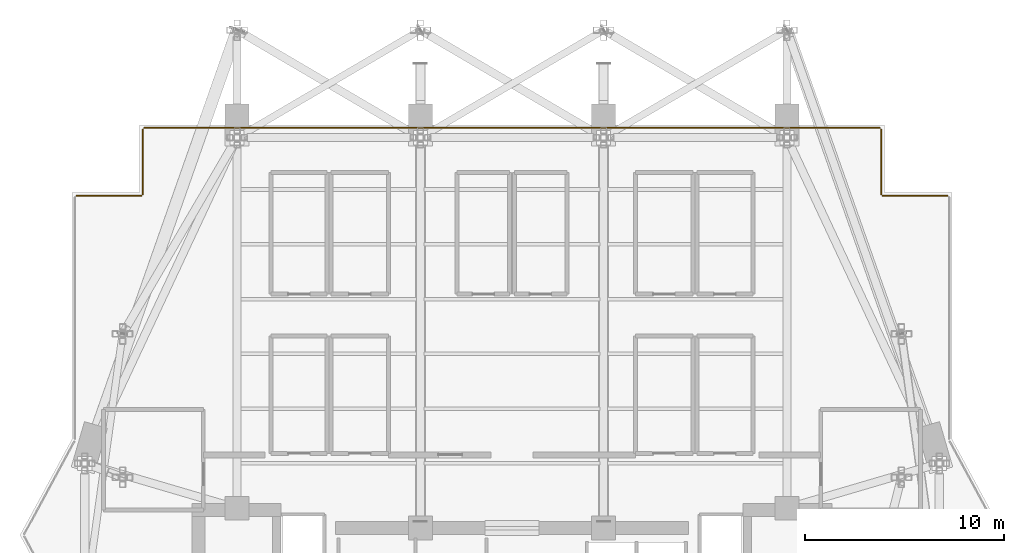
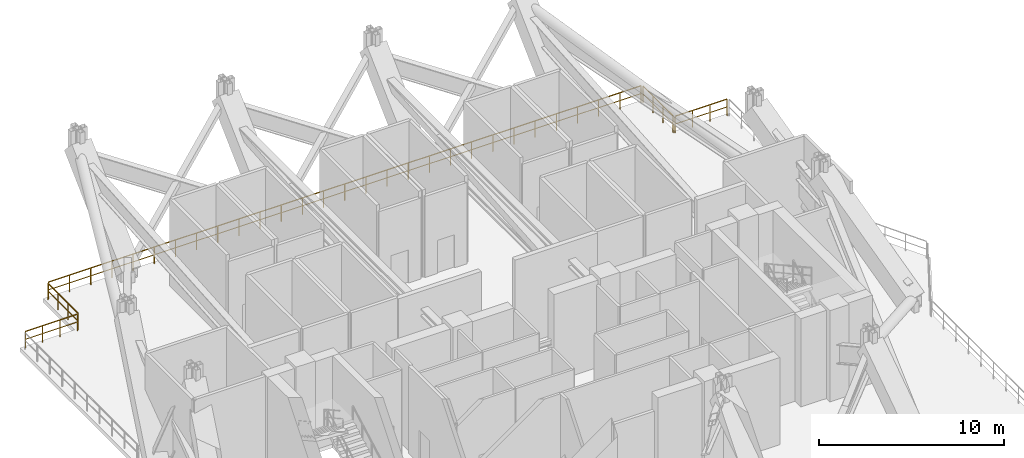
# One storey, part 18 of 18: 5 railings.
"""IFC4 building model written with IfcOpenShell, lengths in metres."""

import ifcopenshell
import ifcopenshell.guid

model = None  # the IFC model being written
_history = None  # IfcOwnerHistory: only IFC2X3 demands one
_inside = {}  # id of a spatial element -> (the spatial element, [elements in it])
_under = {}  # id of a project, library or spatial element -> (it, [spatial elements below it])
_declared = {}  # id of a project -> (the project, [libraries it declares])
_typed = {}  # id of a type object -> (the type object, [elements of that type])
_made_of = {}  # id of a material, layer set ... -> (it, [elements and type objects made of it])


def new_model(schema):
    """Start an empty IFC model of exactly this schema.

    Asked for "IFC4X3", IfcOpenShell would pick the latest addendum, in which some entities
    have other attributes; the version numbers below select the first issue.
    IFC2X3 requires an IfcOwnerHistory on every rooted entity: one is made here for all.
    """
    global model, _history
    if schema == "IFC4X3":
        model = ifcopenshell.file(schema_version=(4, 3, 0, 0))
    else:
        model = ifcopenshell.file(schema=schema)
    _inside.clear()
    _under.clear()
    _declared.clear()
    _typed.clear()
    _made_of.clear()
    _history = None
    if model.schema == "IFC2X3":
        org = make("IfcOrganization", Name="unknown")
        user = make(
            "IfcPersonAndOrganization",
            ThePerson=make("IfcPerson", FamilyName="unknown"),
            TheOrganization=org,
        )
        app = make(
            "IfcApplication",
            ApplicationDeveloper=org,
            Version="unknown",
            ApplicationFullName="unknown",
            ApplicationIdentifier="unknown",
        )
        _history = make(
            "IfcOwnerHistory",
            OwningUser=user,
            OwningApplication=app,
            ChangeAction="ADDED",
            CreationDate=0,
        )
    return model


def make(cls, **values):
    """One entity of the class cls with the attributes given. An attribute that is None is left unset."""
    return model.create_entity(
        cls, **{name: value for name, value in values.items() if value is not None}
    )


def rooted(cls, **values):
    """An entity with a GlobalId (a new one), such as an element, a storey or a relation."""
    return make(cls, GlobalId=ifcopenshell.guid.new(), OwnerHistory=_history, **values)


def si_unit(unit_type, name, prefix=None):
    """IfcSIUnit, for example si_unit("LENGTHUNIT", "METRE", prefix="MILLI")."""
    return make("IfcSIUnit", UnitType=unit_type, Prefix=prefix, Name=name)


def assignment(units):
    """IfcUnitAssignment: the units of a project."""
    return None if units is None else make("IfcUnitAssignment", Units=units)


def point(xyz):
    """IfcCartesianPoint."""
    return None if xyz is None else make("IfcCartesianPoint", Coordinates=xyz)


def direction(xyz):
    """IfcDirection."""
    return None if xyz is None else make("IfcDirection", DirectionRatios=xyz)


def frame(location, z_axis=None, x_axis=None):
    """IfcAxis2Placement3D, a coordinate frame: its origin and axes. An axis left out is left unset."""
    return make(
        "IfcAxis2Placement3D",
        Location=point(location),
        Axis=direction(z_axis),
        RefDirection=direction(x_axis),
    )


def frame_2d(location, x_axis=None):
    """IfcAxis2Placement2D, a coordinate frame in the plane: its origin and x axis."""
    return make(
        "IfcAxis2Placement2D", Location=point(location), RefDirection=direction(x_axis)
    )


def origin():
    """The frame at (0, 0, 0) with its axes left unset."""
    return frame((0.0, 0.0, 0.0))


def origin_2d():
    """The frame at (0, 0) in the plane with its x axis left unset."""
    return frame_2d((0.0, 0.0))


def place(relative_to, where):
    """IfcLocalPlacement: puts the frame where relative to a parent placement (None: the world)."""
    return make(
        "IfcLocalPlacement", PlacementRelTo=relative_to, RelativePlacement=where
    )


def context(
    kind, dimensions, precision=None, world=None, true_north=None, identifier=None
):
    """IfcGeometricRepresentationContext, for example the 3D "Model" context."""
    return make(
        "IfcGeometricRepresentationContext",
        ContextIdentifier=identifier,
        ContextType=kind,
        CoordinateSpaceDimension=dimensions,
        Precision=precision,
        WorldCoordinateSystem=world,
        TrueNorth=true_north,
    )


def subcontext(parent, identifier, kind, view, scale=None):
    """IfcGeometricRepresentationSubContext, for example "Body" below "Model"."""
    return make(
        "IfcGeometricRepresentationSubContext",
        ContextIdentifier=identifier,
        ContextType=kind,
        ParentContext=parent,
        TargetScale=scale,
        TargetView=view,
    )


def project(units=None, contexts=None):
    """IfcProject with its units and contexts."""
    return rooted(
        "IfcProject",
        Name="project",
        RepresentationContexts=contexts,
        UnitsInContext=assignment(units),
    )


def spatial(cls, under=None, at=None, **own):
    """A site, building, storey or space (cls), placed at a placement, below another one or the project."""
    s = rooted(cls, ObjectPlacement=at, **own)
    if under is not None:
        _under.setdefault(under.id(), (under, []))[1].append(s)
    return s


def profile(cls, at=None, kind="AREA", **sizes):
    """A parametric profile (cls). Its sizes go by their IFC names, for example OverallWidth=200.0."""
    return make(cls, ProfileType=kind, Position=at, **sizes)


def rectangle(**sizes):
    """IfcRectangleProfileDef."""
    return profile("IfcRectangleProfileDef", **sizes)


def extrude(swept, where, along, depth):
    """IfcExtrudedAreaSolid: the profile swept, set in the frame where, extruded along a direction by depth."""
    return make(
        "IfcExtrudedAreaSolid",
        SweptArea=swept,
        Position=where,
        ExtrudedDirection=direction(along),
        Depth=depth,
    )


def shape(context_of_items, identifier, shape_type, items):
    """IfcShapeRepresentation: the items that make up one representation, for example the "Body"."""
    return make(
        "IfcShapeRepresentation",
        ContextOfItems=context_of_items,
        RepresentationIdentifier=identifier,
        RepresentationType=shape_type,
        Items=items,
    )


def material(Name=None, Category=None):
    """IfcMaterial."""
    return make("IfcMaterial", Name=Name, Category=Category)


def made_of(thing, what):
    """Note that an element or type object is made of a material, layer set ...; save() writes the relation."""
    if what is not None:
        _made_of.setdefault(what.id(), (what, []))[1].append(thing)
    return thing


def type_object(cls, material=None, **own):
    """A type object (cls), such as IfcWallType, which elements share."""
    return made_of(rooted(cls, **own), material)


def element(
    cls,
    number,
    at=None,
    inside=None,
    cuts=None,
    type_object=None,
    material=None,
    context=None,
    identifier="Body",
    shape_type=None,
    held_by="IfcProductDefinitionShape",
    body=None,
    shapes=None,
    **own,
):
    """One element of the class cls, such as IfcWall. Its Tag is "e" and its number.

    at: its placement. inside: the storey or other place that contains it. cuts: it is an
    opening in that element (IfcRelVoidsElement). A single representation is given by context,
    identifier, shape_type and body (its items); several are given by shapes. held_by: the class
    of the entity that holds the representations. save() writes the other relations.
    """
    e = rooted(cls, Tag="e%d" % number, ObjectPlacement=at, **own)
    if body is not None:
        shapes = [shape(context, identifier, shape_type, body)]
    if shapes is not None:
        e.Representation = make(held_by, Representations=shapes)
    if inside is not None:
        _inside.setdefault(inside.id(), (inside, []))[1].append(e)
    if cuts is not None:
        rooted(
            "IfcRelVoidsElement", RelatingBuildingElement=cuts, RelatedOpeningElement=e
        )
    if type_object is not None:
        _typed.setdefault(type_object.id(), (type_object, []))[1].append(e)
    return made_of(e, material)


def aggregate(whole, parts):
    """IfcRelAggregates: a whole, such as a stair, and the parts it consists of."""
    return rooted("IfcRelAggregates", RelatingObject=whole, RelatedObjects=parts)


def save(model, path):
    """Write the relations noted so far, then the file.

    IfcRelAggregates (storeys below a building ...), IfcRelContainedInSpatialStructure (elements
    in a storey), IfcRelDefinesByType, IfcRelAssociatesMaterial and IfcRelDeclares: one each for
    every whole, place, type object, material and project.
    """
    for whole, parts in _under.values():
        aggregate(whole, parts)
    for where, things in _inside.values():
        rooted(
            "IfcRelContainedInSpatialStructure",
            RelatedElements=things,
            RelatingStructure=where,
        )
    for kind, things in _typed.values():
        rooted("IfcRelDefinesByType", RelatedObjects=things, RelatingType=kind)
    for what, things in _made_of.values():
        rooted("IfcRelAssociatesMaterial", RelatedObjects=things, RelatingMaterial=what)
    for by, libraries in _declared.values():
        rooted("IfcRelDeclares", RelatingContext=by, RelatedDefinitions=libraries)
    model.write(path)


model = new_model("IFC4")

# Units and contexts
model_context = context("Model", 3, precision=1e-05, world=origin(), true_north=direction((0.0, 1.0)))
body_context = subcontext(model_context, "Body", "Model", "MODEL_VIEW")
ifc_project = project(units=[si_unit("LENGTHUNIT", "METRE"), si_unit("AREAUNIT", "SQUARE_METRE"), si_unit("VOLUMEUNIT", "CUBIC_METRE"), si_unit("PLANEANGLEUNIT", "RADIAN"), si_unit("MASSUNIT", "GRAM", prefix="KILO")], contexts=[model_context])

# Site, building, storey
site_placement = place(None, origin())
site = spatial("IfcSite", under=ifc_project, at=site_placement, CompositionType="ELEMENT")
building_placement = place(site_placement, origin())
building = spatial("IfcBuilding", under=site, at=building_placement, Name="Zuhayl Quay Hotel", CompositionType="ELEMENT")
storey_placement = place(building_placement, frame((0.0, 0.0, 233.64990234375)))
storey = spatial("IfcBuildingStorey", under=building, at=storey_placement, Name="L59", CompositionType="ELEMENT", Elevation=233.64990234375)

# Railings
ifc_material = material(Name="Anodised Aluminium and Laminated Glass", Category="aluminium")
railing_type = type_object("IfcRailingType", Name="RL_EXT_BAL_1100", PredefinedType="BALUSTRADE", material=ifc_material)
railing_1_placement = place(storey_placement, frame((-21.860107421875, 30.0400390625, 0.0)))
element("IfcRailing", 1, at=railing_1_placement, inside=storey, type_object=railing_type, Name="L59 Balcony and Terrace Guard GR_WIND_L59_07", PredefinedType="BALUSTRADE", context=body_context, shape_type="SweptSolid", body=[
    extrude(rectangle(XDim=0.048095703125, YDim=0.048095703125, at=origin_2d()), frame((0.0, 0.0, 1.09619140625), z_axis=(1.0, 0.0, 0.0), x_axis=(0.0, 1.0, 0.0)), (0.0, 0.0, 1.0), 3.239990234375),
    extrude(rectangle(XDim=0.0361328125, YDim=0.0361328125, at=origin_2d()), frame((0.0, 0.0, 0.58251953125), z_axis=(1.0, 0.0, 0.0), x_axis=(0.0, 1.0, 0.0)), (0.0, 0.0, 1.0), 3.239990234375),
    extrude(rectangle(XDim=0.0419921875, YDim=0.0419921875, at=origin_2d()), origin(), (0.0, 0.0, 1.0), 1.072021484375),
    extrude(rectangle(XDim=0.0419921875, YDim=0.0419921875, at=origin_2d()), frame((1.080078125, 0.0, 0.0)), (0.0, 0.0, 1.0), 1.072021484375),
    extrude(rectangle(XDim=0.0419921875, YDim=0.0419921875, at=origin_2d()), frame((2.159912109375, 0.0, 0.0)), (0.0, 0.0, 1.0), 1.072021484375),
    extrude(rectangle(XDim=0.0419921875, YDim=0.0419921875, at=origin_2d()), frame((3.239990234375, 0.0, 0.0)), (0.0, 0.0, 1.0), 1.072021484375),
])
railing_2_placement = place(storey_placement, frame((-18.5400390625, 30.1201171875, 0.0)))
element("IfcRailing", 2, at=railing_2_placement, inside=storey, type_object=railing_type, Name="L59 Balcony and Terrace Guard GR_WIND_L59_08", PredefinedType="BALUSTRADE", context=body_context, shape_type="SweptSolid", body=[
    extrude(rectangle(XDim=0.048095703125, YDim=0.048095703125, at=origin_2d()), frame((0.0, 0.0, 1.09619140625), z_axis=(0.0, 1.0, 0.0), x_axis=(-1.0, 0.0, 0.0)), (0.0, 0.0, 1.0), 3.239990234375),
    extrude(rectangle(XDim=0.0361328125, YDim=0.0361328125, at=origin_2d()), frame((0.0, 0.0, 0.58251953125), z_axis=(0.0, 1.0, 0.0), x_axis=(-1.0, 0.0, 0.0)), (0.0, 0.0, 1.0), 3.239990234375),
    extrude(rectangle(XDim=0.0419921875, YDim=0.0419921875, at=origin_2d()), origin(), (0.0, 0.0, 1.0), 1.072021484375),
    extrude(rectangle(XDim=0.0419921875, YDim=0.0419921875, at=origin_2d()), frame((0.0, 1.080078125, 0.0)), (0.0, 0.0, 1.0), 1.072021484375),
    extrude(rectangle(XDim=0.0419921875, YDim=0.0419921875, at=origin_2d()), frame((0.0, 2.159912109375, 0.0)), (0.0, 0.0, 1.0), 1.072021484375),
    extrude(rectangle(XDim=0.0419921875, YDim=0.0419921875, at=origin_2d()), frame((0.0, 3.239990234375, 0.0)), (0.0, 0.0, 1.0), 1.072021484375),
])
railing_3_placement = place(storey_placement, frame((-18.4599609375, 33.43994140625, 0.0)))
element("IfcRailing", 3, at=railing_3_placement, inside=storey, type_object=railing_type, Name="L59 Balcony and Terrace Guard GR_WIND_L59_09", PredefinedType="BALUSTRADE", context=body_context, shape_type="SweptSolid", body=[
    extrude(rectangle(XDim=0.048095703125, YDim=0.048095703125, at=origin_2d()), frame((0.0, 0.0, 1.09619140625), z_axis=(1.0, 0.0, 0.0), x_axis=(0.0, 1.0, 0.0)), (0.0, 0.0, 1.0), 36.919921875),
    extrude(rectangle(XDim=0.0361328125, YDim=0.0361328125, at=origin_2d()), frame((0.0, 0.0, 0.58251953125), z_axis=(1.0, 0.0, 0.0), x_axis=(0.0, 1.0, 0.0)), (0.0, 0.0, 1.0), 36.919921875),
    extrude(rectangle(XDim=0.0419921875, YDim=0.0419921875, at=origin_2d()), origin(), (0.0, 0.0, 1.0), 1.072021484375),
    extrude(rectangle(XDim=0.0419921875, YDim=0.0419921875, at=origin_2d()), frame((1.318603515625, 0.0, 0.0)), (0.0, 0.0, 1.0), 1.072021484375),
    extrude(rectangle(XDim=0.0419921875, YDim=0.0419921875, at=origin_2d()), frame((2.63720703125, 0.0, 0.0)), (0.0, 0.0, 1.0), 1.072021484375),
    extrude(rectangle(XDim=0.0419921875, YDim=0.0419921875, at=origin_2d()), frame((3.955810546875, 0.0, 0.0)), (0.0, 0.0, 1.0), 1.072021484375),
    extrude(rectangle(XDim=0.0419921875, YDim=0.0419921875, at=origin_2d()), frame((5.274169921875, 0.0, 0.0)), (0.0, 0.0, 1.0), 1.072021484375),
    extrude(rectangle(XDim=0.0419921875, YDim=0.0419921875, at=origin_2d()), frame((6.5927734375, 0.0, 0.0)), (0.0, 0.0, 1.0), 1.072021484375),
    extrude(rectangle(XDim=0.0419921875, YDim=0.0419921875, at=origin_2d()), frame((7.911376953125, 0.0, 0.0)), (0.0, 0.0, 1.0), 1.072021484375),
    extrude(rectangle(XDim=0.0419921875, YDim=0.0419921875, at=origin_2d()), frame((9.22998046875, 0.0, 0.0)), (0.0, 0.0, 1.0), 1.072021484375),
    extrude(rectangle(XDim=0.0419921875, YDim=0.0419921875, at=origin_2d()), frame((10.548583984375, 0.0, 0.0)), (0.0, 0.0, 1.0), 1.072021484375),
    extrude(rectangle(XDim=0.0419921875, YDim=0.0419921875, at=origin_2d()), frame((11.8671875, 0.0, 0.0)), (0.0, 0.0, 1.0), 1.072021484375),
    extrude(rectangle(XDim=0.0419921875, YDim=0.0419921875, at=origin_2d()), frame((13.185791015625, 0.0, 0.0)), (0.0, 0.0, 1.0), 1.072021484375),
    extrude(rectangle(XDim=0.0419921875, YDim=0.0419921875, at=origin_2d()), frame((14.504150390625, 0.0, 0.0)), (0.0, 0.0, 1.0), 1.072021484375),
    extrude(rectangle(XDim=0.0419921875, YDim=0.0419921875, at=origin_2d()), frame((15.82275390625, 0.0, 0.0)), (0.0, 0.0, 1.0), 1.072021484375),
    extrude(rectangle(XDim=0.0419921875, YDim=0.0419921875, at=origin_2d()), frame((17.141357421875, 0.0, 0.0)), (0.0, 0.0, 1.0), 1.072021484375),
    extrude(rectangle(XDim=0.0419921875, YDim=0.0419921875, at=origin_2d()), frame((18.4599609375, 0.0, 0.0)), (0.0, 0.0, 1.0), 1.072021484375),
    extrude(rectangle(XDim=0.0419921875, YDim=0.0419921875, at=origin_2d()), frame((19.778564453125, 0.0, 0.0)), (0.0, 0.0, 1.0), 1.072021484375),
    extrude(rectangle(XDim=0.0419921875, YDim=0.0419921875, at=origin_2d()), frame((21.09716796875, 0.0, 0.0)), (0.0, 0.0, 1.0), 1.072021484375),
    extrude(rectangle(XDim=0.0419921875, YDim=0.0419921875, at=origin_2d()), frame((22.415771484375, 0.0, 0.0)), (0.0, 0.0, 1.0), 1.072021484375),
    extrude(rectangle(XDim=0.0419921875, YDim=0.0419921875, at=origin_2d()), frame((23.734130859375, 0.0, 0.0)), (0.0, 0.0, 1.0), 1.072021484375),
    extrude(rectangle(XDim=0.0419921875, YDim=0.0419921875, at=origin_2d()), frame((25.052734375, 0.0, 0.0)), (0.0, 0.0, 1.0), 1.072021484375),
    extrude(rectangle(XDim=0.0419921875, YDim=0.0419921875, at=origin_2d()), frame((26.371337890625, 0.0, 0.0)), (0.0, 0.0, 1.0), 1.072021484375),
    extrude(rectangle(XDim=0.0419921875, YDim=0.0419921875, at=origin_2d()), frame((27.68994140625, 0.0, 0.0)), (0.0, 0.0, 1.0), 1.072021484375),
    extrude(rectangle(XDim=0.0419921875, YDim=0.0419921875, at=origin_2d()), frame((29.008544921875, 0.0, 0.0)), (0.0, 0.0, 1.0), 1.072021484375),
    extrude(rectangle(XDim=0.0419921875, YDim=0.0419921875, at=origin_2d()), frame((30.3271484375, 0.0, 0.0)), (0.0, 0.0, 1.0), 1.072021484375),
    extrude(rectangle(XDim=0.0419921875, YDim=0.0419921875, at=origin_2d()), frame((31.645751953125, 0.0, 0.0)), (0.0, 0.0, 1.0), 1.072021484375),
    extrude(rectangle(XDim=0.0419921875, YDim=0.0419921875, at=origin_2d()), frame((32.964111328125, 0.0, 0.0)), (0.0, 0.0, 1.0), 1.072021484375),
    extrude(rectangle(XDim=0.0419921875, YDim=0.0419921875, at=origin_2d()), frame((34.28271484375, 0.0, 0.0)), (0.0, 0.0, 1.0), 1.072021484375),
    extrude(rectangle(XDim=0.0419921875, YDim=0.0419921875, at=origin_2d()), frame((35.601318359375, 0.0, 0.0)), (0.0, 0.0, 1.0), 1.072021484375),
    extrude(rectangle(XDim=0.0419921875, YDim=0.0419921875, at=origin_2d()), frame((36.919921875, 0.0, 0.0)), (0.0, 0.0, 1.0), 1.072021484375),
])
railing_4_placement = place(storey_placement, frame((18.5400390625, 33.360107421875, 0.0)))
element("IfcRailing", 4, at=railing_4_placement, inside=storey, type_object=railing_type, Name="L59 Balcony and Terrace Guard GR_WIND_L59_10", PredefinedType="BALUSTRADE", context=body_context, shape_type="SweptSolid", body=[
    extrude(rectangle(XDim=0.048095703125, YDim=0.048095703125, at=origin_2d()), frame((0.0, 0.0, 1.09619140625), z_axis=(0.0, -1.0, 0.0), x_axis=(1.0, 0.0, 0.0)), (0.0, 0.0, 1.0), 3.239990234375),
    extrude(rectangle(XDim=0.0361328125, YDim=0.0361328125, at=origin_2d()), frame((0.0, 0.0, 0.58251953125), z_axis=(0.0, -1.0, 0.0), x_axis=(1.0, 0.0, 0.0)), (0.0, 0.0, 1.0), 3.239990234375),
    extrude(rectangle(XDim=0.0419921875, YDim=0.0419921875, at=origin_2d()), origin(), (0.0, 0.0, 1.0), 1.072021484375),
    extrude(rectangle(XDim=0.0419921875, YDim=0.0419921875, at=origin_2d()), frame((0.0, -1.080078125, 0.0)), (0.0, 0.0, 1.0), 1.072021484375),
    extrude(rectangle(XDim=0.0419921875, YDim=0.0419921875, at=origin_2d()), frame((0.0, -2.159912109375, 0.0)), (0.0, 0.0, 1.0), 1.072021484375),
    extrude(rectangle(XDim=0.0419921875, YDim=0.0419921875, at=origin_2d()), frame((0.0, -3.239990234375, 0.0)), (0.0, 0.0, 1.0), 1.072021484375),
])
railing_5_placement = place(storey_placement, frame((18.6201171875, 30.0400390625, 0.0)))
element("IfcRailing", 5, at=railing_5_placement, inside=storey, type_object=railing_type, Name="L59 Balcony and Terrace Guard GR_WIND_L59_11", PredefinedType="BALUSTRADE", context=body_context, shape_type="SweptSolid", body=[
    extrude(rectangle(XDim=0.048095703125, YDim=0.048095703125, at=origin_2d()), frame((0.0, 0.0, 1.09619140625), z_axis=(1.0, 0.0, 0.0), x_axis=(0.0, 1.0, 0.0)), (0.0, 0.0, 1.0), 3.239990234375),
    extrude(rectangle(XDim=0.0361328125, YDim=0.0361328125, at=origin_2d()), frame((0.0, 0.0, 0.58251953125), z_axis=(1.0, 0.0, 0.0), x_axis=(0.0, 1.0, 0.0)), (0.0, 0.0, 1.0), 3.239990234375),
    extrude(rectangle(XDim=0.0419921875, YDim=0.0419921875, at=origin_2d()), origin(), (0.0, 0.0, 1.0), 1.072021484375),
    extrude(rectangle(XDim=0.0419921875, YDim=0.0419921875, at=origin_2d()), frame((1.080078125, 0.0, 0.0)), (0.0, 0.0, 1.0), 1.072021484375),
    extrude(rectangle(XDim=0.0419921875, YDim=0.0419921875, at=origin_2d()), frame((2.159912109375, 0.0, 0.0)), (0.0, 0.0, 1.0), 1.072021484375),
    extrude(rectangle(XDim=0.0419921875, YDim=0.0419921875, at=origin_2d()), frame((3.239990234375, 0.0, 0.0)), (0.0, 0.0, 1.0), 1.072021484375),
])

save(model, "model.ifc")
